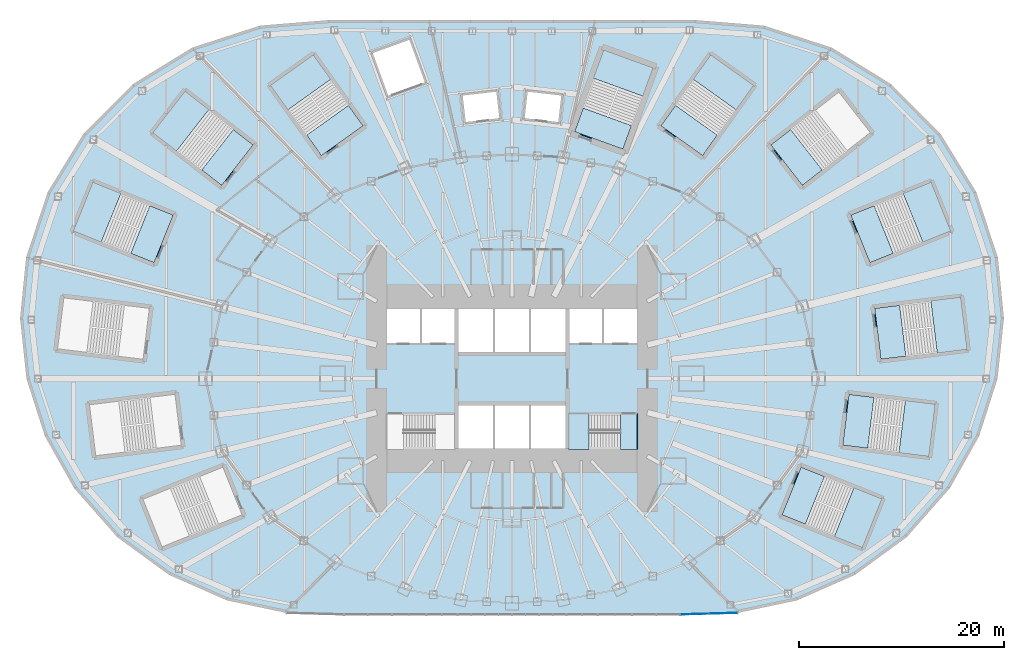
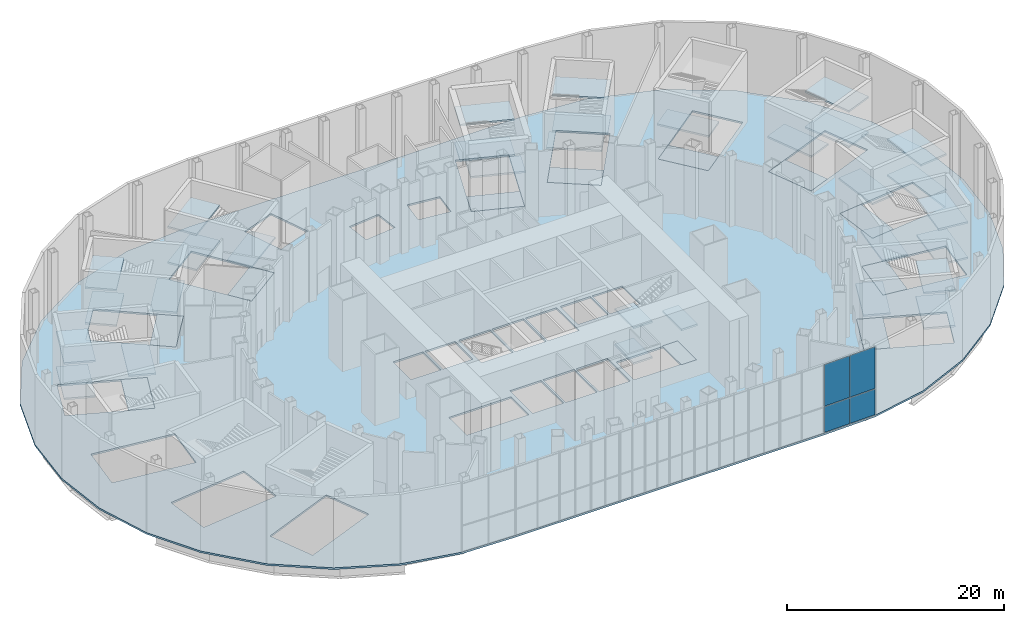
# One storey, part 12 of 74: 43 slabs, 4 plates, 12 elements without a shape of their own.
"""IFC4 building model written with IfcOpenShell, lengths in metres."""

from ifc_helpers import new_model, si_unit, direction, frame, origin, origin_2d, place, context, subcontext, project, spatial, polyline, rectangle, outline, extrude, material, layer, layer_set, type_object, element, aggregate, save


model = new_model("IFC4")

# Units and contexts
model_context = context("Model", 3, precision=1e-05, world=origin(), true_north=direction((0.0, 1.0)))
body_context = subcontext(model_context, "Body", "Model", "MODEL_VIEW")
ifc_project = project(units=[si_unit("LENGTHUNIT", "METRE"), si_unit("AREAUNIT", "SQUARE_METRE"), si_unit("VOLUMEUNIT", "CUBIC_METRE"), si_unit("PLANEANGLEUNIT", "RADIAN"), si_unit("MASSUNIT", "GRAM", prefix="KILO")], contexts=[model_context])

# Site, building, storey
site_placement = place(None, origin())
site = spatial("IfcSite", under=ifc_project, at=site_placement, CompositionType="ELEMENT")
building_placement = place(site_placement, origin())
building = spatial("IfcBuilding", under=site, at=building_placement, Name="Lantaw Convention Tower", CompositionType="ELEMENT")
storey_placement = place(building_placement, frame((0.0, 0.0, 6.5)))
storey = spatial("IfcBuildingStorey", under=building, at=storey_placement, Name="L01", CompositionType="ELEMENT", Elevation=6.5)

# Curtain wall, plates
ifc_material_1 = material(Name="Aluminium framed curtain wall", Category="aluminium")
curtain_wall_type = type_object("IfcCurtainWallType", Name="Podium storefront curtain wall, pale aluminium", PredefinedType="USERDEFINED", material=ifc_material_1)
curtain_wall_placement = place(storey_placement, origin())
curtain_wall = element("IfcCurtainWall", 1, at=curtain_wall_placement, inside=storey, type_object=curtain_wall_type, Name="Podium storefront curtain wall, pale aluminium L01", ObjectType="STOREFRONT", PredefinedType="USERDEFINED")
ifc_material_2 = material(Name="Laminated clear glass", Category="glass")
ifc_layer_1 = layer(ifc_material_2, 0.031982421875)
ifc_layer_set_1 = layer_set([ifc_layer_1], Name="CW-P panel 32")
plate_type = type_object("IfcPlateType", Name="CW-P panel 32", PredefinedType="CURTAIN_PANEL", material=ifc_layer_set_1)
plate_1_placement = place(storey_placement, frame((17.838134765625, -22.958984375, 0.080078125), z_axis=(0.0, 0.0, 1.0), x_axis=(0.99959230263, 0.028552206976, 0.0)))
plate_1 = element("IfcPlate", 2, at=plate_1_placement, type_object=plate_type, Name="CW-P panel 1.1", PredefinedType="CURTAIN_PANEL", context=body_context, shape_type="SweptSolid", body=[
    extrude(rectangle(XDim=2.705810546875, YDim=0.031982421875, at=origin_2d()), origin(), (0.0, 0.0, 1.0), 2.8798828125),
])
plate_2_placement = place(storey_placement, frame((17.838134765625, -22.958984375, 3.0400390625), z_axis=(0.0, 0.0, 1.0), x_axis=(0.99959230263, 0.028552206976, 0.0)))
plate_2 = element("IfcPlate", 3, at=plate_2_placement, type_object=plate_type, Name="CW-P panel 1.2", PredefinedType="CURTAIN_PANEL", context=body_context, shape_type="SweptSolid", body=[
    extrude(rectangle(XDim=2.705810546875, YDim=0.031982421875, at=origin_2d()), origin(), (0.0, 0.0, 1.0), 4.679931640625),
])
plate_3_placement = place(storey_placement, frame((20.622802734375, -22.879638671875, 0.080078125), z_axis=(0.0, 0.0, 1.0), x_axis=(0.99959230263, 0.028552206976, 0.0)))
plate_3 = element("IfcPlate", 4, at=plate_3_placement, type_object=plate_type, Name="CW-P panel 2.1", PredefinedType="CURTAIN_PANEL", context=body_context, shape_type="SweptSolid", body=[
    extrude(rectangle(XDim=2.705810546875, YDim=0.031982421875, at=origin_2d()), origin(), (0.0, 0.0, 1.0), 2.8798828125),
])
plate_4_placement = place(storey_placement, frame((20.622802734375, -22.879638671875, 3.0400390625), z_axis=(0.0, 0.0, 1.0), x_axis=(0.99959230263, 0.028552206976, 0.0)))
plate_4 = element("IfcPlate", 5, at=plate_4_placement, type_object=plate_type, Name="CW-P panel 2.2", PredefinedType="CURTAIN_PANEL", context=body_context, shape_type="SweptSolid", body=[
    extrude(rectangle(XDim=2.705810546875, YDim=0.031982421875, at=origin_2d()), origin(), (0.0, 0.0, 1.0), 4.679931640625),
])
aggregate(curtain_wall, [plate_1, plate_2, plate_3, plate_4])

# Slab
ifc_material_3 = material(Name="Concrete C35/45", Category="concrete")
ifc_layer_2 = layer(ifc_material_3, 0.199951171875)
ifc_layer_set_2 = layer_set([ifc_layer_2], Name="Floor slab 200")
slab_type_1 = type_object("IfcSlabType", Name="Floor slab 200", PredefinedType="FLOOR", material=ifc_layer_set_2)
slab_1_placement = place(storey_placement, frame((0.0, 0.0, -0.199951171875)))
element("IfcSlab", 6, at=slab_1_placement, inside=storey, type_object=slab_type_1, Name="L01 floor slab", PredefinedType="FLOOR", context=body_context, shape_type="SweptSolid", body=[
    extrude(outline(polyline([(45.580322265625, -5.5966796875), (47.37255859375, 0.0), (47.999755859375, 5.8935546875), (47.409912109375, 11.820556640625), (45.313232421875, 18.190673828125), (41.819091796875, 23.896728515625), (36.97607421875, 28.756591796875), (31.2001953125, 32.308837890625), (24.578857421875, 34.458251953125), (17.83349609375, 35.0), (-17.83349609375, 35.0), (-24.578857421875, 34.458251953125), (-31.2001953125, 32.308837890625), (-36.97607421875, 28.756591796875), (-41.819091796875, 23.896728515625), (-45.313232421875, 18.190673828125), (-47.409912109375, 11.820556640625), (-47.999755859375, 5.8935546875), (-47.37255859375, 0.0), (-45.580322265625, -5.5966796875), (-42.73974609375, -10.65625), (-38.50732421875, -15.45849609375), (-33.4755859375, -19.12890625), (-27.811279296875, -21.62890625), (-22.054931640625, -22.838623046875), (-16.40576171875, -23.0), (16.40576171875, -23.0), (22.054931640625, -22.838623046875), (27.811279296875, -21.62890625), (33.4755859375, -19.12890625), (38.50732421875, -15.458251953125), (42.73974609375, -10.65625), (45.580322265625, -5.5966796875)]), holes=[polyline([(-36.005126953125, -11.760009765625), (-34.142333984375, -16.400146484375), (-26.346923828125, -13.270751953125), (-28.209716796875, -8.630615234375), (-36.005126953125, -11.760009765625)]), polyline([(-12.199951171875, -6.800048828125), (-5.60009765625, -6.800048828125), (-5.60009765625, -3.5), (-12.199951171875, -3.5), (-12.199951171875, -6.800048828125)]), polyline([(-5.199951171875, -6.800048828125), (-1.86669921875, -6.800048828125), (-1.86669921875, -2.60009765625), (-5.199951171875, -2.60009765625), (-5.199951171875, -6.800048828125)]), polyline([(-1.666748046875, -6.800048828125), (1.666748046875, -6.800048828125), (1.666748046875, -2.60009765625), (-1.666748046875, -2.60009765625), (-1.666748046875, -6.800048828125)]), polyline([(-32.8828125, -1.518798828125), (-41.22021484375, -2.54248046875), (-40.61083984375, -7.505126953125), (-32.2734375, -6.4814453125), (-32.8828125, -1.518798828125)]), polyline([(-5.199951171875, 2.60009765625), (-1.86669921875, 2.60009765625), (-1.86669921875, 6.800048828125), (-5.199951171875, 6.800048828125), (-5.199951171875, 2.60009765625)]), polyline([(-35.387451171875, 6.86376953125), (-43.724853515625, 7.887451171875), (-44.334228515625, 2.9248046875), (-35.996826171875, 1.901123046875), (-35.387451171875, 6.86376953125)]), polyline([(-9.0, 3.5), (-9.0, 6.800048828125), (-12.199951171875, 6.800048828125), (-12.199951171875, 3.5), (-9.0, 3.5)]), polyline([(-8.800048828125, 3.5), (-5.60009765625, 3.5), (-5.60009765625, 6.800048828125), (-8.800048828125, 6.800048828125), (-8.800048828125, 3.5)]), polyline([(-33.06005859375, 15.965576171875), (-40.85546875, 19.094970703125), (-42.71826171875, 14.454833984375), (-34.9228515625, 11.325439453125), (-33.06005859375, 15.965576171875)]), polyline([(-25.25830078125, 22.810546875), (-31.88916015625, 27.967529296875), (-34.95849609375, 24.0205078125), (-28.327880859375, 18.86376953125), (-25.25830078125, 22.810546875)]), polyline([(-1.236083984375, 25.423583984375), (-1.5302734375, 28.0068359375), (-4.80908203125, 27.63330078125), (-4.5146484375, 25.050048828125), (-1.236083984375, 25.423583984375)]), polyline([(-14.52978515625, 24.67529296875), (-19.40771484375, 31.513916015625), (-23.478271484375, 28.6103515625), (-18.6005859375, 21.771728515625), (-14.52978515625, 24.67529296875)]), polyline([(-8.50927734375, 28.9345703125), (-10.01416015625, 33.0693359375), (-13.585205078125, 31.76953125), (-12.080322265625, 27.635009765625), (-8.50927734375, 28.9345703125)]), polyline([(34.142333984375, -16.39990234375), (36.005126953125, -11.760009765625), (28.209716796875, -8.630615234375), (26.34716796875, -13.270751953125), (34.142333984375, -16.39990234375)]), polyline([(5.60009765625, -6.800048828125), (12.199951171875, -6.800048828125), (12.199951171875, -3.5), (5.60009765625, -3.5), (5.60009765625, -6.800048828125)]), polyline([(1.86669921875, -6.800048828125), (5.199951171875, -6.800048828125), (5.199951171875, -2.60009765625), (1.86669921875, -2.60009765625), (1.86669921875, -6.800048828125)]), polyline([(32.2734375, -6.4814453125), (40.61083984375, -7.505126953125), (41.22021484375, -2.54248046875), (32.8828125, -1.518798828125), (32.2734375, -6.4814453125)]), polyline([(-1.666748046875, 2.60009765625), (1.666748046875, 2.60009765625), (1.666748046875, 6.800048828125), (-1.666748046875, 6.800048828125), (-1.666748046875, 2.60009765625)]), polyline([(1.86669921875, 2.60009765625), (5.199951171875, 2.60009765625), (5.199951171875, 6.800048828125), (1.86669921875, 6.800048828125), (1.86669921875, 2.60009765625)]), polyline([(35.996826171875, 1.901123046875), (44.334228515625, 2.9248046875), (43.724853515625, 7.887451171875), (35.387451171875, 6.86376953125), (35.996826171875, 1.901123046875)]), polyline([(8.800048828125, 3.5), (8.800048828125, 6.800048828125), (5.60009765625, 6.800048828125), (5.60009765625, 3.5), (8.800048828125, 3.5)]), polyline([(9.0, 3.5), (12.199951171875, 3.5), (12.199951171875, 6.800048828125), (9.0, 6.800048828125), (9.0, 3.5)]), polyline([(34.9228515625, 11.325439453125), (42.71826171875, 14.454833984375), (40.85546875, 19.094970703125), (33.06005859375, 15.965576171875), (34.9228515625, 11.325439453125)]), polyline([(28.327880859375, 18.86376953125), (34.95849609375, 24.0205078125), (31.88916015625, 27.967529296875), (25.25830078125, 22.810546875), (28.327880859375, 18.86376953125)]), polyline([(4.5146484375, 25.050048828125), (4.80908203125, 27.63330078125), (1.5302734375, 28.0068359375), (1.236083984375, 25.423583984375), (4.5146484375, 25.050048828125)]), polyline([(18.6005859375, 21.771728515625), (23.478271484375, 28.6103515625), (19.40771484375, 31.513916015625), (14.52978515625, 24.67529296875), (18.6005859375, 21.771728515625)]), polyline([(10.81298828125, 22.398681640625), (13.685791015625, 30.292236328125), (8.987548828125, 32.002197265625), (6.114501953125, 24.10888671875), (10.81298828125, 22.398681640625)])]), origin(), (0.0, 0.0, 1.0), 0.199951171875),
])

# Stair, slabs
stair_type_1 = type_object("IfcStairType", Name="Exit stair 1500 riser 166.67 in 4 flights", PredefinedType="HALF_TURN_STAIR", material=ifc_material_3)
stair_1_placement = place(storey_placement, origin())
stair_1 = element("IfcStair", 7, at=stair_1_placement, inside=storey, type_object=stair_type_1, Name="Exit stair S2 L01", PredefinedType="HALF_TURN_STAIR")
ifc_layer_3 = layer(ifc_material_3, 0.199951171875)
ifc_layer_set_3 = layer_set([ifc_layer_3], Name="Stair landing 200")
slab_type_2 = type_object("IfcSlabType", Name="Stair landing 200", PredefinedType="LANDING", material=ifc_layer_set_3)
slab_2_placement = place(storey_placement, frame((0.0, 0.0, -0.199951171875)))
slab_2 = element("IfcSlab", 8, at=slab_2_placement, type_object=slab_type_2, Name="S2 landing 1", PredefinedType="LANDING", context=body_context, shape_type="SweptSolid", body=[
    extrude(outline(polyline([(10.580078125, -6.89990234375), (12.199951171875, -6.89990234375), (12.199951171875, -3.39990234375), (10.580078125, -3.39990234375), (10.580078125, -6.89990234375)])), origin(), (0.0, 0.0, 1.0), 0.199951171875),
])
slab_3_placement = place(storey_placement, frame((0.0, 0.0, 1.800048828125)))
slab_3 = element("IfcSlab", 9, at=slab_3_placement, type_object=slab_type_2, Name="S2 landing 2", PredefinedType="LANDING", context=body_context, shape_type="SweptSolid", body=[
    extrude(outline(polyline([(5.5, -6.89990234375), (7.5, -6.89990234375), (7.5, -3.39990234375), (5.5, -3.39990234375), (5.5, -6.89990234375)])), origin(), (0.0, 0.0, 1.0), 0.199951171875),
])
slab_4_placement = place(storey_placement, frame((0.0, 0.0, 3.800048828125)))
slab_4 = element("IfcSlab", 10, at=slab_4_placement, type_object=slab_type_2, Name="S2 landing 3", PredefinedType="LANDING", context=body_context, shape_type="SweptSolid", body=[
    extrude(outline(polyline([(10.580078125, -6.89990234375), (12.300048828125, -6.89990234375), (12.300048828125, -3.39990234375), (10.580078125, -3.39990234375), (10.580078125, -6.89990234375)])), origin(), (0.0, 0.0, 1.0), 0.199951171875),
])
slab_5_placement = place(storey_placement, frame((0.0, 0.0, 5.800048828125)))
slab_5 = element("IfcSlab", 11, at=slab_5_placement, type_object=slab_type_2, Name="S2 landing 4", PredefinedType="LANDING", context=body_context, shape_type="SweptSolid", body=[
    extrude(outline(polyline([(5.5, -6.89990234375), (7.5, -6.89990234375), (7.5, -3.39990234375), (5.5, -3.39990234375), (5.5, -6.89990234375)])), origin(), (0.0, 0.0, 1.0), 0.199951171875),
])
aggregate(stair_1, [slab_2, slab_3, slab_4, slab_5])

stair_type_2 = type_object("IfcStairType", Name="Exit stair 2400 riser 166.67 in 4 flights", PredefinedType="HALF_TURN_STAIR", material=ifc_material_3)
stair_2_placement = place(storey_placement, origin())
stair_2 = element("IfcStair", 12, at=stair_2_placement, inside=storey, type_object=stair_type_2, Name="Podium exit stair P1 L01", PredefinedType="HALF_TURN_STAIR")
slab_6_placement = place(storey_placement, frame((0.0, 0.0, -0.199951171875)))
slab_6 = element("IfcSlab", 13, at=slab_6_placement, type_object=slab_type_2, Name="P1 landing 1", PredefinedType="LANDING", context=body_context, shape_type="SweptSolid", body=[
    extrude(outline(polyline([(35.996826171875, 1.901123046875), (38.4306640625, 2.199951171875), (37.8212890625, 7.16259765625), (35.387451171875, 6.86376953125), (35.996826171875, 1.901123046875)])), origin(), (0.0, 0.0, 1.0), 0.199951171875),
])
slab_7_placement = place(storey_placement, frame((0.0, 0.0, 1.800048828125)))
slab_7 = element("IfcSlab", 14, at=slab_7_placement, type_object=slab_type_2, Name="P1 landing 2", PredefinedType="LANDING", context=body_context, shape_type="SweptSolid", body=[
    extrude(outline(polyline([(41.493408203125, 2.495361328125), (44.42333984375, 2.855224609375), (43.794677734375, 7.9765625), (40.864501953125, 7.616943359375), (41.493408203125, 2.495361328125)])), origin(), (0.0, 0.0, 1.0), 0.199951171875),
])
slab_8_placement = place(storey_placement, frame((0.0, 0.0, 3.800048828125)))
slab_8 = element("IfcSlab", 15, at=slab_8_placement, type_object=slab_type_2, Name="P1 landing 3", PredefinedType="LANDING", context=body_context, shape_type="SweptSolid", body=[
    extrude(outline(polyline([(35.92724609375, 1.81201171875), (38.4404296875, 2.12060546875), (37.8115234375, 7.241943359375), (35.29833984375, 6.93359375), (35.92724609375, 1.81201171875)])), origin(), (0.0, 0.0, 1.0), 0.199951171875),
])
slab_9_placement = place(storey_placement, frame((0.0, 0.0, 5.800048828125)))
slab_9 = element("IfcSlab", 16, at=slab_9_placement, type_object=slab_type_2, Name="P1 landing 4", PredefinedType="LANDING", context=body_context, shape_type="SweptSolid", body=[
    extrude(outline(polyline([(41.493408203125, 2.495361328125), (44.42333984375, 2.855224609375), (43.794677734375, 7.9765625), (40.864501953125, 7.616943359375), (41.493408203125, 2.495361328125)])), origin(), (0.0, 0.0, 1.0), 0.199951171875),
])
aggregate(stair_2, [slab_6, slab_7, slab_8, slab_9])

stair_3_placement = place(storey_placement, origin())
stair_3 = element("IfcStair", 17, at=stair_3_placement, inside=storey, type_object=stair_type_2, Name="Podium exit stair P2 L01", PredefinedType="HALF_TURN_STAIR")
slab_10_placement = place(storey_placement, frame((0.0, 0.0, -0.199951171875)))
slab_10 = element("IfcSlab", 18, at=slab_10_placement, type_object=slab_type_2, Name="P2 landing 1", PredefinedType="LANDING", context=body_context, shape_type="SweptSolid", body=[
    extrude(outline(polyline([(34.9228515625, 11.325439453125), (37.198486328125, 12.239013671875), (35.335693359375, 16.879150390625), (33.06005859375, 15.965576171875), (34.9228515625, 11.325439453125)])), origin(), (0.0, 0.0, 1.0), 0.199951171875),
])
slab_11_placement = place(storey_placement, frame((0.0, 0.0, 1.800048828125)))
slab_11 = element("IfcSlab", 19, at=slab_11_placement, type_object=slab_type_2, Name="P2 landing 2", PredefinedType="LANDING", context=body_context, shape_type="SweptSolid", body=[
    extrude(outline(polyline([(40.082763671875, 13.310791015625), (42.822265625, 14.410400390625), (40.89990234375, 19.198974609375), (38.160400390625, 18.099365234375), (40.082763671875, 13.310791015625)])), origin(), (0.0, 0.0, 1.0), 0.199951171875),
])
slab_12_placement = place(storey_placement, frame((0.0, 0.0, 3.800048828125)))
slab_12 = element("IfcSlab", 20, at=slab_12_placement, type_object=slab_type_2, Name="P2 landing 3", PredefinedType="LANDING", context=body_context, shape_type="SweptSolid", body=[
    extrude(outline(polyline([(34.87841796875, 11.221435546875), (37.228271484375, 12.164794921875), (35.305908203125, 16.953369140625), (32.9560546875, 16.010009765625), (34.87841796875, 11.221435546875)])), origin(), (0.0, 0.0, 1.0), 0.199951171875),
])
slab_13_placement = place(storey_placement, frame((0.0, 0.0, 5.800048828125)))
slab_13 = element("IfcSlab", 21, at=slab_13_placement, type_object=slab_type_2, Name="P2 landing 4", PredefinedType="LANDING", context=body_context, shape_type="SweptSolid", body=[
    extrude(outline(polyline([(40.082763671875, 13.310791015625), (42.822265625, 14.410400390625), (40.89990234375, 19.198974609375), (38.160400390625, 18.099365234375), (40.082763671875, 13.310791015625)])), origin(), (0.0, 0.0, 1.0), 0.199951171875),
])
aggregate(stair_3, [slab_10, slab_11, slab_12, slab_13])

stair_4_placement = place(storey_placement, origin())
stair_4 = element("IfcStair", 22, at=stair_4_placement, inside=storey, type_object=stair_type_2, Name="Podium exit stair P3 L01", PredefinedType="HALF_TURN_STAIR")
slab_14_placement = place(storey_placement, frame((0.0, 0.0, -0.199951171875)))
slab_14 = element("IfcSlab", 23, at=slab_14_placement, type_object=slab_type_2, Name="P3 landing 1", PredefinedType="LANDING", context=body_context, shape_type="SweptSolid", body=[
    extrude(outline(polyline([(28.327880859375, 18.86376953125), (30.263427734375, 20.369140625), (27.19384765625, 24.31591796875), (25.25830078125, 22.810546875), (28.327880859375, 18.86376953125)])), origin(), (0.0, 0.0, 1.0), 0.199951171875),
])
slab_15_placement = place(storey_placement, frame((0.0, 0.0, 3.800048828125)))
slab_15 = element("IfcSlab", 24, at=slab_15_placement, type_object=slab_type_2, Name="P3 landing 3", PredefinedType="LANDING", context=body_context, shape_type="SweptSolid", body=[
    extrude(outline(polyline([(28.313720703125, 18.75146484375), (30.3125, 20.305908203125), (27.144775390625, 24.379150390625), (25.14599609375, 22.82470703125), (28.313720703125, 18.75146484375)])), origin(), (0.0, 0.0, 1.0), 0.199951171875),
])
aggregate(stair_4, [slab_14, slab_15])

stair_5_placement = place(storey_placement, origin())
stair_5 = element("IfcStair", 25, at=stair_5_placement, inside=storey, type_object=stair_type_2, Name="Podium exit stair P4 L01", PredefinedType="HALF_TURN_STAIR")
slab_16_placement = place(storey_placement, frame((0.0, 0.0, -0.199951171875)))
slab_16 = element("IfcSlab", 26, at=slab_16_placement, type_object=slab_type_2, Name="P4 landing 1", PredefinedType="LANDING", context=body_context, shape_type="SweptSolid", body=[
    extrude(outline(polyline([(18.6005859375, 21.771728515625), (20.0244140625, 23.76806640625), (15.953857421875, 26.67138671875), (14.52978515625, 24.67529296875), (18.6005859375, 21.771728515625)])), origin(), (0.0, 0.0, 1.0), 0.199951171875),
])
slab_17_placement = place(storey_placement, frame((0.0, 0.0, 1.800048828125)))
slab_17 = element("IfcSlab", 27, at=slab_17_placement, type_object=slab_type_2, Name="P4 landing 2", PredefinedType="LANDING", context=body_context, shape_type="SweptSolid", body=[
    extrude(outline(polyline([(21.875732421875, 26.225830078125), (23.58984375, 28.62890625), (19.38916015625, 31.62548828125), (17.6748046875, 29.22216796875), (21.875732421875, 26.225830078125)])), origin(), (0.0, 0.0, 1.0), 0.199951171875),
])
slab_18_placement = place(storey_placement, frame((0.0, 0.0, 3.800048828125)))
slab_18 = element("IfcSlab", 28, at=slab_18_placement, type_object=slab_type_2, Name="P4 landing 3", PredefinedType="LANDING", context=body_context, shape_type="SweptSolid", body=[
    extrude(outline(polyline([(18.619140625, 21.66015625), (20.089599609375, 23.721435546875), (15.888671875, 26.718017578125), (14.418212890625, 24.656494140625), (18.619140625, 21.66015625)])), origin(), (0.0, 0.0, 1.0), 0.199951171875),
])
slab_19_placement = place(storey_placement, frame((0.0, 0.0, 5.800048828125)))
slab_19 = element("IfcSlab", 29, at=slab_19_placement, type_object=slab_type_2, Name="P4 landing 4", PredefinedType="LANDING", context=body_context, shape_type="SweptSolid", body=[
    extrude(outline(polyline([(21.875732421875, 26.225830078125), (23.58984375, 28.62890625), (19.38916015625, 31.62548828125), (17.6748046875, 29.22216796875), (21.875732421875, 26.225830078125)])), origin(), (0.0, 0.0, 1.0), 0.199951171875),
])
aggregate(stair_5, [slab_16, slab_17, slab_18, slab_19])

stair_6_placement = place(storey_placement, origin())
stair_6 = element("IfcStair", 30, at=stair_6_placement, inside=storey, type_object=stair_type_2, Name="Podium exit stair P5 L01", PredefinedType="HALF_TURN_STAIR")
slab_20_placement = place(storey_placement, frame((0.0, 0.0, -0.199951171875)))
slab_20 = element("IfcSlab", 31, at=slab_20_placement, type_object=slab_type_2, Name="P5 landing 1", PredefinedType="LANDING", context=body_context, shape_type="SweptSolid", body=[
    extrude(outline(polyline([(10.81298828125, 22.398681640625), (11.651611328125, 24.702880859375), (6.953125, 26.4130859375), (6.114501953125, 24.10888671875), (10.81298828125, 22.398681640625)])), origin(), (0.0, 0.0, 1.0), 0.199951171875),
])
slab_21_placement = place(storey_placement, frame((0.0, 0.0, 1.800048828125)))
slab_21 = element("IfcSlab", 32, at=slab_21_placement, type_object=slab_type_2, Name="P5 landing 2", PredefinedType="LANDING", context=body_context, shape_type="SweptSolid", body=[
    extrude(outline(polyline([(12.77880859375, 27.566162109375), (13.788330078125, 30.340087890625), (8.939697265625, 32.104736328125), (7.929931640625, 29.330810546875), (12.77880859375, 27.566162109375)])), origin(), (0.0, 0.0, 1.0), 0.199951171875),
])
slab_22_placement = place(storey_placement, frame((0.0, 0.0, 3.800048828125)))
slab_22 = element("IfcSlab", 33, at=slab_22_placement, type_object=slab_type_2, Name="P5 landing 3", PredefinedType="LANDING", context=body_context, shape_type="SweptSolid", body=[
    extrude(outline(polyline([(10.86083984375, 22.296142578125), (11.726806640625, 24.675537109375), (6.8779296875, 26.4404296875), (6.011962890625, 24.06103515625), (10.86083984375, 22.296142578125)])), origin(), (0.0, 0.0, 1.0), 0.199951171875),
])
slab_23_placement = place(storey_placement, frame((0.0, 0.0, 5.800048828125)))
slab_23 = element("IfcSlab", 34, at=slab_23_placement, type_object=slab_type_2, Name="P5 landing 4", PredefinedType="LANDING", context=body_context, shape_type="SweptSolid", body=[
    extrude(outline(polyline([(12.77880859375, 27.566162109375), (13.788330078125, 30.340087890625), (8.939697265625, 32.104736328125), (7.929931640625, 29.330810546875), (12.77880859375, 27.566162109375)])), origin(), (0.0, 0.0, 1.0), 0.199951171875),
])
aggregate(stair_6, [slab_20, slab_21, slab_22, slab_23])

stair_7_placement = place(storey_placement, origin())
stair_7 = element("IfcStair", 35, at=stair_7_placement, inside=storey, type_object=stair_type_2, Name="Podium exit stair P6 L01", PredefinedType="HALF_TURN_STAIR")
slab_24_placement = place(storey_placement, frame((0.0, 0.0, -0.199951171875)))
slab_24 = element("IfcSlab", 36, at=slab_24_placement, type_object=slab_type_2, Name="P6 landing 1", PredefinedType="LANDING", context=body_context, shape_type="SweptSolid", body=[
    extrude(outline(polyline([(-14.52978515625, 24.67529296875), (-15.953857421875, 26.67138671875), (-20.0244140625, 23.76806640625), (-18.6005859375, 21.771728515625), (-14.52978515625, 24.67529296875)])), origin(), (0.0, 0.0, 1.0), 0.199951171875),
])
slab_25_placement = place(storey_placement, frame((0.0, 0.0, 1.800048828125)))
slab_25 = element("IfcSlab", 37, at=slab_25_placement, type_object=slab_type_2, Name="P6 landing 2", PredefinedType="LANDING", context=body_context, shape_type="SweptSolid", body=[
    extrude(outline(polyline([(-17.6748046875, 29.22216796875), (-19.38916015625, 31.62548828125), (-23.58984375, 28.62890625), (-21.875732421875, 26.225830078125), (-17.6748046875, 29.22216796875)])), origin(), (0.0, 0.0, 1.0), 0.199951171875),
])
slab_26_placement = place(storey_placement, frame((0.0, 0.0, 3.800048828125)))
slab_26 = element("IfcSlab", 38, at=slab_26_placement, type_object=slab_type_2, Name="P6 landing 3", PredefinedType="LANDING", context=body_context, shape_type="SweptSolid", body=[
    extrude(outline(polyline([(-14.418212890625, 24.656494140625), (-15.888671875, 26.718017578125), (-20.089599609375, 23.721435546875), (-18.619140625, 21.66015625), (-14.418212890625, 24.656494140625)])), origin(), (0.0, 0.0, 1.0), 0.199951171875),
])
slab_27_placement = place(storey_placement, frame((0.0, 0.0, 5.800048828125)))
slab_27 = element("IfcSlab", 39, at=slab_27_placement, type_object=slab_type_2, Name="P6 landing 4", PredefinedType="LANDING", context=body_context, shape_type="SweptSolid", body=[
    extrude(outline(polyline([(-17.6748046875, 29.22216796875), (-19.38916015625, 31.62548828125), (-23.58984375, 28.62890625), (-21.875732421875, 26.225830078125), (-17.6748046875, 29.22216796875)])), origin(), (0.0, 0.0, 1.0), 0.199951171875),
])
aggregate(stair_7, [slab_24, slab_25, slab_26, slab_27])

stair_8_placement = place(storey_placement, origin())
stair_8 = element("IfcStair", 40, at=stair_8_placement, inside=storey, type_object=stair_type_2, Name="Podium exit stair P7 L01", PredefinedType="HALF_TURN_STAIR")
slab_28_placement = place(storey_placement, frame((0.0, 0.0, -0.199951171875)))
slab_28 = element("IfcSlab", 41, at=slab_28_placement, type_object=slab_type_2, Name="P7 landing 1", PredefinedType="LANDING", context=body_context, shape_type="SweptSolid", body=[
    extrude(outline(polyline([(-25.25830078125, 22.810546875), (-27.19384765625, 24.31591796875), (-30.263427734375, 20.369140625), (-28.327880859375, 18.86376953125), (-25.25830078125, 22.810546875)])), origin(), (0.0, 0.0, 1.0), 0.199951171875),
])
slab_29_placement = place(storey_placement, frame((0.0, 0.0, 1.800048828125)))
slab_29 = element("IfcSlab", 42, at=slab_29_placement, type_object=slab_type_2, Name="P7 landing 2", PredefinedType="LANDING", context=body_context, shape_type="SweptSolid", body=[
    extrude(outline(polyline([(-29.57275390625, 26.267333984375), (-31.903076171875, 28.07958984375), (-35.07080078125, 24.006591796875), (-32.74072265625, 22.1943359375), (-29.57275390625, 26.267333984375)])), origin(), (0.0, 0.0, 1.0), 0.199951171875),
])
slab_30_placement = place(storey_placement, frame((0.0, 0.0, 3.800048828125)))
slab_30 = element("IfcSlab", 43, at=slab_30_placement, type_object=slab_type_2, Name="P7 landing 3", PredefinedType="LANDING", context=body_context, shape_type="SweptSolid", body=[
    extrude(outline(polyline([(-25.14599609375, 22.82470703125), (-27.144775390625, 24.379150390625), (-30.3125, 20.305908203125), (-28.313720703125, 18.75146484375), (-25.14599609375, 22.82470703125)])), origin(), (0.0, 0.0, 1.0), 0.199951171875),
])
slab_31_placement = place(storey_placement, frame((0.0, 0.0, 5.800048828125)))
slab_31 = element("IfcSlab", 44, at=slab_31_placement, type_object=slab_type_2, Name="P7 landing 4", PredefinedType="LANDING", context=body_context, shape_type="SweptSolid", body=[
    extrude(outline(polyline([(-29.57275390625, 26.267333984375), (-31.903076171875, 28.07958984375), (-35.07080078125, 24.006591796875), (-32.74072265625, 22.1943359375), (-29.57275390625, 26.267333984375)])), origin(), (0.0, 0.0, 1.0), 0.199951171875),
])
aggregate(stair_8, [slab_28, slab_29, slab_30, slab_31])

stair_9_placement = place(storey_placement, origin())
stair_9 = element("IfcStair", 45, at=stair_9_placement, inside=storey, type_object=stair_type_2, Name="Podium exit stair P8 L01", PredefinedType="HALF_TURN_STAIR")
slab_32_placement = place(storey_placement, frame((0.0, 0.0, -0.199951171875)))
slab_32 = element("IfcSlab", 46, at=slab_32_placement, type_object=slab_type_2, Name="P8 landing 1", PredefinedType="LANDING", context=body_context, shape_type="SweptSolid", body=[
    extrude(outline(polyline([(-33.06005859375, 15.965576171875), (-35.335693359375, 16.879150390625), (-37.198486328125, 12.239013671875), (-34.9228515625, 11.325439453125), (-33.06005859375, 15.965576171875)])), origin(), (0.0, 0.0, 1.0), 0.199951171875),
])
slab_33_placement = place(storey_placement, frame((0.0, 0.0, 1.800048828125)))
slab_33 = element("IfcSlab", 47, at=slab_33_placement, type_object=slab_type_2, Name="P8 landing 2", PredefinedType="LANDING", context=body_context, shape_type="SweptSolid", body=[
    extrude(outline(polyline([(-38.160400390625, 18.099365234375), (-40.89990234375, 19.198974609375), (-42.822265625, 14.410400390625), (-40.082763671875, 13.310791015625), (-38.160400390625, 18.099365234375)])), origin(), (0.0, 0.0, 1.0), 0.199951171875),
])
slab_34_placement = place(storey_placement, frame((0.0, 0.0, 3.800048828125)))
slab_34 = element("IfcSlab", 48, at=slab_34_placement, type_object=slab_type_2, Name="P8 landing 3", PredefinedType="LANDING", context=body_context, shape_type="SweptSolid", body=[
    extrude(outline(polyline([(-32.9560546875, 16.010009765625), (-35.305908203125, 16.953369140625), (-37.228271484375, 12.164794921875), (-34.87841796875, 11.221435546875), (-32.9560546875, 16.010009765625)])), origin(), (0.0, 0.0, 1.0), 0.199951171875),
])
slab_35_placement = place(storey_placement, frame((0.0, 0.0, 5.800048828125)))
slab_35 = element("IfcSlab", 49, at=slab_35_placement, type_object=slab_type_2, Name="P8 landing 4", PredefinedType="LANDING", context=body_context, shape_type="SweptSolid", body=[
    extrude(outline(polyline([(-38.160400390625, 18.099365234375), (-40.89990234375, 19.198974609375), (-42.822265625, 14.410400390625), (-40.082763671875, 13.310791015625), (-38.160400390625, 18.099365234375)])), origin(), (0.0, 0.0, 1.0), 0.199951171875),
])
aggregate(stair_9, [slab_32, slab_33, slab_34, slab_35])

stair_10_placement = place(storey_placement, origin())
stair_10 = element("IfcStair", 50, at=stair_10_placement, inside=storey, type_object=stair_type_2, Name="Podium exit stair P12 L01", PredefinedType="HALF_TURN_STAIR")
slab_36_placement = place(storey_placement, frame((0.0, 0.0, -0.199951171875)))
slab_36 = element("IfcSlab", 51, at=slab_36_placement, type_object=slab_type_2, Name="P12 landing 1", PredefinedType="LANDING", context=body_context, shape_type="SweptSolid", body=[
    extrude(outline(polyline([(26.34716796875, -13.270751953125), (28.62255859375, -14.18408203125), (30.4853515625, -9.5439453125), (28.209716796875, -8.630615234375), (26.34716796875, -13.270751953125)])), origin(), (0.0, 0.0, 1.0), 0.199951171875),
])
slab_37_placement = place(storey_placement, frame((0.0, 0.0, 1.800048828125)))
slab_37 = element("IfcSlab", 52, at=slab_37_placement, type_object=slab_type_2, Name="P12 landing 2", PredefinedType="LANDING", context=body_context, shape_type="SweptSolid", body=[
    extrude(outline(polyline([(31.447265625, -15.404296875), (34.186767578125, -16.50390625), (36.109130859375, -11.715576171875), (33.36962890625, -10.61572265625), (31.447265625, -15.404296875)])), origin(), (0.0, 0.0, 1.0), 0.199951171875),
])
slab_38_placement = place(storey_placement, frame((0.0, 0.0, 3.800048828125)))
slab_38 = element("IfcSlab", 53, at=slab_38_placement, type_object=slab_type_2, Name="P12 landing 3", PredefinedType="LANDING", context=body_context, shape_type="SweptSolid", body=[
    extrude(outline(polyline([(26.242919921875, -13.315185546875), (28.5927734375, -14.25830078125), (30.51513671875, -9.4697265625), (28.165283203125, -8.526611328125), (26.242919921875, -13.315185546875)])), origin(), (0.0, 0.0, 1.0), 0.199951171875),
])
slab_39_placement = place(storey_placement, frame((0.0, 0.0, 5.800048828125)))
slab_39 = element("IfcSlab", 54, at=slab_39_placement, type_object=slab_type_2, Name="P12 landing 4", PredefinedType="LANDING", context=body_context, shape_type="SweptSolid", body=[
    extrude(outline(polyline([(31.447265625, -15.404296875), (34.186767578125, -16.50390625), (36.109130859375, -11.715576171875), (33.36962890625, -10.61572265625), (31.447265625, -15.404296875)])), origin(), (0.0, 0.0, 1.0), 0.199951171875),
])
aggregate(stair_10, [slab_36, slab_37, slab_38, slab_39])

stair_11_placement = place(storey_placement, origin())
stair_11 = element("IfcStair", 55, at=stair_11_placement, inside=storey, type_object=stair_type_2, Name="Podium exit stair P13 L01", PredefinedType="HALF_TURN_STAIR")
slab_40_placement = place(storey_placement, frame((0.0, 0.0, -0.199951171875)))
slab_40 = element("IfcSlab", 56, at=slab_40_placement, type_object=slab_type_2, Name="P13 landing 1", PredefinedType="LANDING", context=body_context, shape_type="SweptSolid", body=[
    extrude(outline(polyline([(32.2734375, -6.4814453125), (34.70703125, -6.7802734375), (35.31640625, -1.817626953125), (32.8828125, -1.518798828125), (32.2734375, -6.4814453125)])), origin(), (0.0, 0.0, 1.0), 0.199951171875),
])
slab_41_placement = place(storey_placement, frame((0.0, 0.0, 1.800048828125)))
slab_41 = element("IfcSlab", 57, at=slab_41_placement, type_object=slab_type_2, Name="P13 landing 2", PredefinedType="LANDING", context=body_context, shape_type="SweptSolid", body=[
    extrude(outline(polyline([(37.75048828125, -7.234619140625), (40.680419921875, -7.59423828125), (41.309326171875, -2.47265625), (38.37939453125, -2.113037109375), (37.75048828125, -7.234619140625)])), origin(), (0.0, 0.0, 1.0), 0.199951171875),
])
slab_42_placement = place(storey_placement, frame((0.0, 0.0, 3.800048828125)))
slab_42 = element("IfcSlab", 58, at=slab_42_placement, type_object=slab_type_2, Name="P13 landing 3", PredefinedType="LANDING", context=body_context, shape_type="SweptSolid", body=[
    extrude(outline(polyline([(32.184326171875, -6.551025390625), (34.697265625, -6.859619140625), (35.326171875, -1.738037109375), (32.81298828125, -1.4296875), (32.184326171875, -6.551025390625)])), origin(), (0.0, 0.0, 1.0), 0.199951171875),
])
slab_43_placement = place(storey_placement, frame((0.0, 0.0, 5.800048828125)))
slab_43 = element("IfcSlab", 59, at=slab_43_placement, type_object=slab_type_2, Name="P13 landing 4", PredefinedType="LANDING", context=body_context, shape_type="SweptSolid", body=[
    extrude(outline(polyline([(37.75048828125, -7.234619140625), (40.680419921875, -7.59423828125), (41.309326171875, -2.47265625), (38.37939453125, -2.113037109375), (37.75048828125, -7.234619140625)])), origin(), (0.0, 0.0, 1.0), 0.199951171875),
])
aggregate(stair_11, [slab_40, slab_41, slab_42, slab_43])

save(model, "model.ifc")
